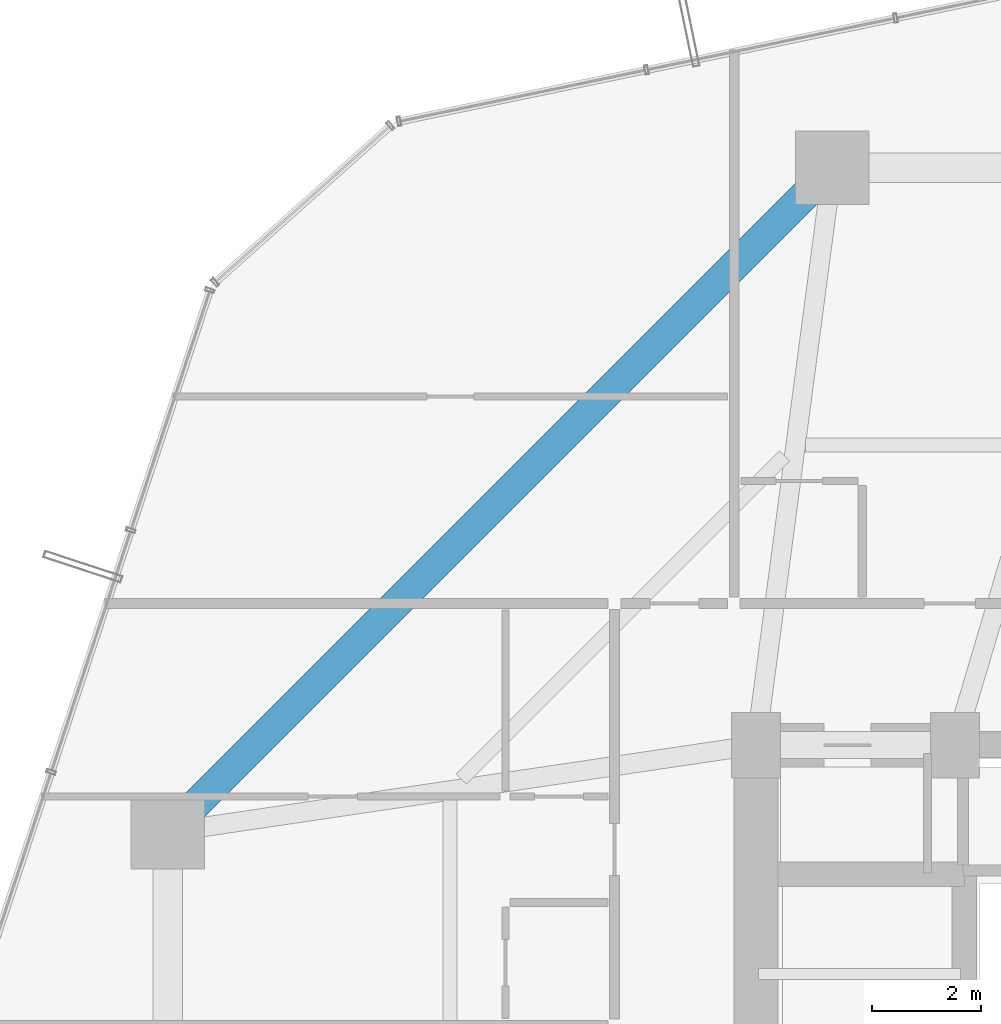
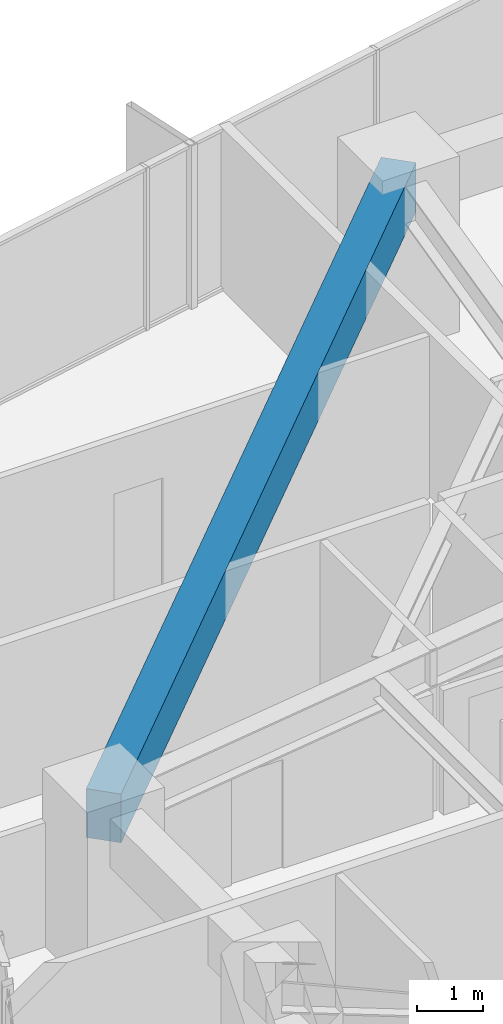
# One storey, part 22 of 38: 1 beam.
"""IFC4 building model written with IfcOpenShell, lengths in metres."""

from ifc_helpers import new_model, si_unit, direction, frame, origin, origin_2d, place, context, subcontext, project, spatial, rectangle, extrude, material, material_profile, profile_set, type_object, element, save


model = new_model("IFC4")

# Units and contexts
model_context = context("Model", 3, precision=1e-05, world=origin(), true_north=direction((0.0, 1.0)))
body_context = subcontext(model_context, "Body", "Model", "MODEL_VIEW")
ifc_project = project(units=[si_unit("LENGTHUNIT", "METRE"), si_unit("AREAUNIT", "SQUARE_METRE"), si_unit("VOLUMEUNIT", "CUBIC_METRE"), si_unit("PLANEANGLEUNIT", "RADIAN"), si_unit("MASSUNIT", "GRAM", prefix="KILO")], contexts=[model_context])

# Site, building, storey
site_placement = place(None, origin())
site = spatial("IfcSite", under=ifc_project, at=site_placement, CompositionType="ELEMENT")
building_placement = place(site_placement, origin())
building = spatial("IfcBuilding", under=site, at=building_placement, Name="Veraguas Prism Commons", CompositionType="ELEMENT")
storey_placement = place(building_placement, frame((0.0, 0.0, 64.10009765625)))
storey = spatial("IfcBuildingStorey", under=building, at=storey_placement, Name="L17", CompositionType="ELEMENT", Elevation=64.10009765625)

# Beam
ifc_material = material(Name="Concrete C50/60", Category="concrete")
ifc_material_profile = material_profile(ifc_material, rectangle(XDim=0.550048828125, YDim=0.89990234375, at=origin_2d()), Name="RC550X900")
ifc_profile_set = profile_set([ifc_material_profile], Name="Concrete C50/60")
beam_type = type_object("IfcBeamType", Name="Perimeter Spandrel Lower RC 550x900", PredefinedType="SPANDREL", material=ifc_profile_set)
beam_placement = place(storey_placement, frame((18.60009765625, 41.60009765625, 2.5498046875), z_axis=(-0.707106781187, -0.707106781187, 0.0), x_axis=(0.707106781187, -0.707106781187, 0.0)))
element("IfcBeam", 1, at=beam_placement, inside=storey, type_object=beam_type, Name="Perimeter Spandrel Beam L17-SP06", PredefinedType="SPANDREL", context=body_context, shape_type="SweptSolid", body=[
    extrude(rectangle(XDim=0.550048828125, YDim=0.89990234375, at=origin_2d()), origin(), (0.0, 0.0, 1.0), 17.253662109375),
])

save(model, "model.ifc")
